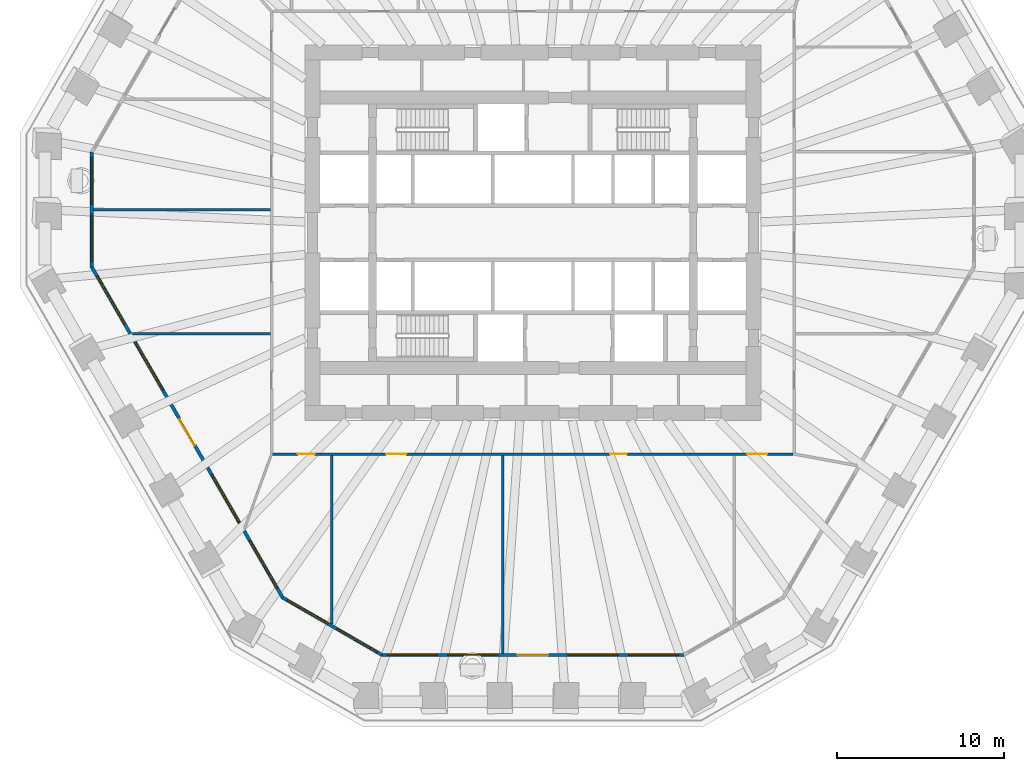
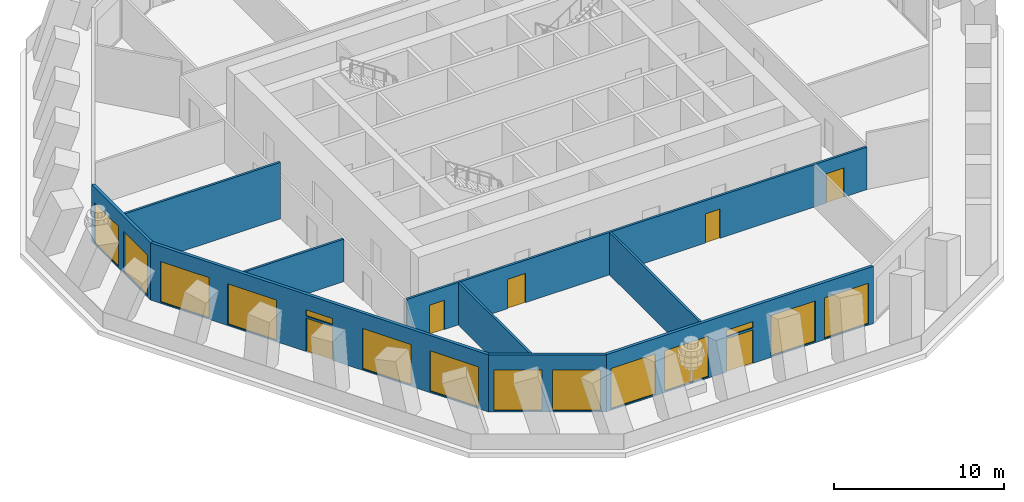
# One storey, part 3 of 11: 14 windows, 9 walls, 6 doors, 20 openings.
"""IFC4 building model written with IfcOpenShell, lengths in metres."""

from ifc_helpers import new_model, si_unit, direction, frame, frame_2d, origin, place, context, subcontext, project, spatial, polyline, rectangle, outline, extrude, material, layer, layer_set, type_object, element, fill, save


model = new_model("IFC4")

# Units and contexts
model_context = context("Model", 3, precision=1e-05, world=origin(), true_north=direction((0.0, 1.0)))
body_context = subcontext(model_context, "Body", "Model", "MODEL_VIEW")
ifc_project = project(units=[si_unit("LENGTHUNIT", "METRE"), si_unit("AREAUNIT", "SQUARE_METRE"), si_unit("VOLUMEUNIT", "CUBIC_METRE"), si_unit("PLANEANGLEUNIT", "RADIAN"), si_unit("MASSUNIT", "GRAM", prefix="KILO")], contexts=[model_context])

# Site, building, storey
site_placement = place(None, origin())
site = spatial("IfcSite", under=ifc_project, at=site_placement, CompositionType="ELEMENT")
building_placement = place(site_placement, origin())
building = spatial("IfcBuilding", under=site, at=building_placement, Name="Frailejon Research Tower", CompositionType="ELEMENT")
storey_placement = place(building_placement, frame((0.0, 0.0, 67.39990234375)))
storey = spatial("IfcBuildingStorey", under=building, at=storey_placement, Name="L15", CompositionType="ELEMENT", Elevation=67.39990234375)

# Wall, openings, doors
ifc_material_1 = material(Name="Gypsum board and masonry partition", Category="masonry")
ifc_layer_1 = layer(ifc_material_1, 0.14990234375)
ifc_layer_set_1 = layer_set([ifc_layer_1], Name="Corridor wall EI 60, gypsum on steel studs 150")
wall_type_1 = type_object("IfcWallType", Name="Corridor wall EI 60, gypsum on steel studs 150", PredefinedType="PARTITIONING", material=ifc_layer_set_1)
wall_1_placement = place(storey_placement, frame((-15.60009765625, -13.25, 0.0), z_axis=(0.0, 0.0, 1.0), x_axis=(1.0, 0.0, 0.0)))
wall_1 = element("IfcWall", 1, at=wall_1_placement, inside=storey, type_object=wall_type_1, Name="T:IW:L15:004", PredefinedType="PARTITIONING", context=body_context, shape_type="SweptSolid", body=[
    extrude(rectangle(XDim=31.175048828125, YDim=0.14990234375, at=frame_2d((15.58740234375, 0.0))), origin(), (0.0, 0.0, 1.0), 3.050048828125),
])
opening_1_placement = place(wall_1_placement, frame((1.52978515625, 0.0, 0.0)))
opening_1 = element("IfcOpeningElement", 2, at=opening_1_placement, cuts=wall_1, Name="Opening D1477", PredefinedType="OPENING", context=body_context, shape_type="SweptSolid", body=[
    extrude(rectangle(XDim=1.0, YDim=2.10009765625, at=frame_2d((0.5, 1.050048828125))), frame((0.0, 0.0849609375, 0.0), z_axis=(0.0, -1.0, 0.0), x_axis=(1.0, 0.0, 0.0)), (0.0, 0.0, 1.0), 0.169921875),
])
opening_2_placement = place(wall_1_placement, frame((6.813232421875, 0.0, 0.0)))
opening_2 = element("IfcOpeningElement", 3, at=opening_2_placement, cuts=wall_1, Name="Opening D1478", PredefinedType="OPENING", context=body_context, shape_type="SweptSolid", body=[
    extrude(rectangle(XDim=1.199951171875, YDim=2.10009765625, at=frame_2d((0.60009765625, 1.050048828125))), frame((0.0, 0.0849609375, 0.0), z_axis=(0.0, -1.0, 0.0), x_axis=(1.0, 0.0, 0.0)), (0.0, 0.0, 1.0), 0.169921875),
])
opening_3_placement = place(wall_1_placement, frame((20.22314453125, 0.0, 0.0)))
opening_3 = element("IfcOpeningElement", 4, at=opening_3_placement, cuts=wall_1, Name="Opening D1479", PredefinedType="OPENING", context=body_context, shape_type="SweptSolid", body=[
    extrude(rectangle(XDim=1.0, YDim=2.10009765625, at=frame_2d((0.5, 1.050048828125))), frame((0.0, 0.0849609375, 0.0), z_axis=(0.0, -1.0, 0.0), x_axis=(1.0, 0.0, 0.0)), (0.0, 0.0, 1.0), 0.169921875),
])
opening_4_placement = place(wall_1_placement, frame((28.43115234375, 0.0, 0.0)))
opening_4 = element("IfcOpeningElement", 5, at=opening_4_placement, cuts=wall_1, Name="Opening D1480", PredefinedType="OPENING", context=body_context, shape_type="SweptSolid", body=[
    extrude(rectangle(XDim=1.199951171875, YDim=2.10009765625, at=frame_2d((0.60009765625, 1.050048828125))), frame((0.0, 0.0849609375, 0.0), z_axis=(0.0, -1.0, 0.0), x_axis=(1.0, 0.0, 0.0)), (0.0, 0.0, 1.0), 0.169921875),
])
ifc_material_2 = material(Name="Timber door leaf", Category="wood")
door_type_1 = type_object("IfcDoorType", Name="Door laboratory, timber, vision panel 1200", OperationType="NOTDEFINED", PredefinedType="DOOR", material=ifc_material_2)
door_1_placement = place(opening_2_placement, origin())
door_1 = element("IfcDoor", 6, at=door_1_placement, inside=storey, type_object=door_type_1, Name="D1478", OperationType="DOUBLE_DOOR_SINGLE_SWING", OverallHeight=2.10009765625, OverallWidth=1.199951171875, PredefinedType="DOOR", context=body_context, shape_type="SweptSolid", body=[
    extrude(rectangle(XDim=1.199951171875, YDim=2.10009765625, at=frame_2d((0.60009765625, 1.050048828125))), frame((0.0, 0.02490234375, 0.0), z_axis=(0.0, -1.0, 0.0), x_axis=(1.0, 0.0, 0.0)), (0.0, 0.0, 1.0), 0.050048828125),
])
fill(opening_2, door_1)
door_2_placement = place(opening_4_placement, origin())
door_2 = element("IfcDoor", 7, at=door_2_placement, inside=storey, type_object=door_type_1, Name="D1480", OperationType="DOUBLE_DOOR_SINGLE_SWING", OverallHeight=2.10009765625, OverallWidth=1.199951171875, PredefinedType="DOOR", context=body_context, shape_type="SweptSolid", body=[
    extrude(rectangle(XDim=1.199951171875, YDim=2.10009765625, at=frame_2d((0.60009765625, 1.050048828125))), frame((0.0, 0.02490234375, 0.0), z_axis=(0.0, -1.0, 0.0), x_axis=(1.0, 0.0, 0.0)), (0.0, 0.0, 1.0), 0.050048828125),
])
fill(opening_4, door_2)
ifc_material_3 = material(Name="Timber door leaf", Category="wood")
door_type_2 = type_object("IfcDoorType", Name="Door single leaf, timber, steel frame 1000", OperationType="NOTDEFINED", PredefinedType="DOOR", material=ifc_material_3)
door_3_placement = place(opening_1_placement, origin())
door_3 = element("IfcDoor", 8, at=door_3_placement, inside=storey, type_object=door_type_2, Name="D1477", OperationType="SINGLE_SWING_LEFT", OverallHeight=2.10009765625, OverallWidth=1.0, PredefinedType="DOOR", context=body_context, shape_type="SweptSolid", body=[
    extrude(rectangle(XDim=1.0, YDim=2.10009765625, at=frame_2d((0.5, 1.050048828125))), frame((0.0, 0.02490234375, 0.0), z_axis=(0.0, -1.0, 0.0), x_axis=(1.0, 0.0, 0.0)), (0.0, 0.0, 1.0), 0.050048828125),
])
fill(opening_1, door_3)
door_4_placement = place(opening_3_placement, origin())
door_4 = element("IfcDoor", 9, at=door_4_placement, inside=storey, type_object=door_type_2, Name="D1479", OperationType="SINGLE_SWING_LEFT", OverallHeight=2.10009765625, OverallWidth=1.0, PredefinedType="DOOR", context=body_context, shape_type="SweptSolid", body=[
    extrude(rectangle(XDim=1.0, YDim=2.10009765625, at=frame_2d((0.5, 1.050048828125))), frame((0.0, 0.02490234375, 0.0), z_axis=(0.0, -1.0, 0.0), x_axis=(1.0, 0.0, 0.0)), (0.0, 0.0, 1.0), 0.050048828125),
])
fill(opening_3, door_4)

# Walls
ifc_material_4 = material(Name="Gypsum board and masonry partition", Category="masonry")
ifc_layer_2 = layer(ifc_material_4, 0.14990234375)
ifc_layer_set_2 = layer_set([ifc_layer_2], Name="Laboratory partition, blockwork 150")
wall_type_2 = type_object("IfcWallType", Name="Laboratory partition, blockwork 150", PredefinedType="PARTITIONING", material=ifc_layer_set_2)
wall_2_placement = place(storey_placement, frame((-26.31103515625, 1.3828125, 0.0), z_axis=(0.0, 0.0, 1.0), x_axis=(1.0, 0.0, 0.0)))
element("IfcWall", 10, at=wall_2_placement, inside=storey, type_object=wall_type_2, Name="T:IW:L15:012", PredefinedType="PARTITIONING", context=body_context, shape_type="SweptSolid", body=[
    extrude(rectangle(XDim=10.5859375, YDim=0.14990234375, at=frame_2d((5.29296875, 0.0))), origin(), (0.0, 0.0, 1.0), 4.050048828125),
])
wall_3_placement = place(storey_placement, frame((-23.989501953125, -6.048828125, 0.0), z_axis=(0.0, 0.0, 1.0), x_axis=(1.0, 0.0, 0.0)))
element("IfcWall", 11, at=wall_3_placement, inside=storey, type_object=wall_type_2, Name="T:IW:L15:013", PredefinedType="PARTITIONING", context=body_context, shape_type="SweptSolid", body=[
    extrude(rectangle(XDim=8.264404296875, YDim=0.14990234375, at=frame_2d((4.13232421875, 0.0))), origin(), (0.0, 0.0, 1.0), 3.050048828125),
])
wall_4_placement = place(storey_placement, frame((-12.05810546875, -23.419921875, 0.0), z_axis=(0.0, 0.0, 1.0), x_axis=(0.0, 1.0, 0.0)))
element("IfcWall", 12, at=wall_4_placement, inside=storey, type_object=wall_type_2, Name="T:IW:L15:015", PredefinedType="PARTITIONING", context=body_context, shape_type="SweptSolid", body=[
    extrude(rectangle(XDim=10.094970703125, YDim=0.14990234375, at=frame_2d((5.04736328125, 0.0))), origin(), (0.0, 0.0, 1.0), 3.050048828125),
])
wall_5_placement = place(storey_placement, frame((-1.8115234375, -25.182861328125, 0.0), z_axis=(0.0, 0.0, 1.0), x_axis=(0.0, 1.0, 0.0)))
element("IfcWall", 13, at=wall_5_placement, inside=storey, type_object=wall_type_2, Name="T:IW:L15:016", PredefinedType="PARTITIONING", context=body_context, shape_type="SweptSolid", body=[
    extrude(rectangle(XDim=11.85791015625, YDim=0.14990234375, at=frame_2d((5.928955078125, 0.0))), origin(), (0.0, 0.0, 1.0), 3.050048828125),
])

# Wall, openings, windows
ifc_material_5 = material(Name="Concrete C40/50 precast window wall panel", Category="concrete")
ifc_layer_3 = layer(ifc_material_5, 0.199951171875)
ifc_layer_set_3 = layer_set([ifc_layer_3], Name="Window wall 200")
wall_type_3 = type_object("IfcWallType", Name="Window wall 200", PredefinedType="SOLIDWALL", material=ifc_layer_set_3)
wall_6_placement = place(storey_placement, frame((-26.4111328125, 4.820068359375, 0.0), z_axis=(0.0, 0.0, 1.0), x_axis=(0.0, -1.0, 0.0)))
wall_6 = element("IfcWall", 14, at=wall_6_placement, inside=storey, type_object=wall_type_3, Name="Exterior wall L15", PredefinedType="SOLIDWALL", context=body_context, shape_type="SweptSolid", body=[
    extrude(outline(polyline([(-0.02685546875, -0.10009765625), (1.1279296875, -0.10009765625), (2.28271484375, -0.10009765625), (3.4375, -0.10009765625), (4.592041015625, -0.10009765625), (5.746826171875, -0.10009765625), (6.901611328125, -0.10009765625), (6.847900390625, 0.10009765625), (5.7109375, 0.10009765625), (4.57421875, 0.10009765625), (3.4375, 0.10009765625), (2.300537109375, 0.10009765625), (1.16357421875, 0.10009765625), (0.02685546875, 0.10009765625), (-0.02685546875, -0.10009765625)])), origin(), (0.0, 0.0, 1.0), 4.10009765625),
])
opening_5_placement = place(wall_6_placement, frame((0.318603515625, 0.0, 0.10009765625)))
opening_5 = element("IfcOpeningElement", 15, at=opening_5_placement, cuts=wall_6, Name="Opening W3", PredefinedType="OPENING", context=body_context, shape_type="SweptSolid", body=[
    extrude(rectangle(XDim=2.800048828125, YDim=2.89990234375, at=frame_2d((1.39990234375, 1.449951171875))), frame((0.0, 0.10986328125, 0.0), z_axis=(0.0, -1.0, 0.0), x_axis=(1.0, 0.0, 0.0)), (0.0, 0.0, 1.0), 0.219970703125),
])
opening_6_placement = place(wall_6_placement, frame((3.756103515625, 0.0, 0.10009765625)))
opening_6 = element("IfcOpeningElement", 16, at=opening_6_placement, cuts=wall_6, Name="Opening W3", PredefinedType="OPENING", context=body_context, shape_type="SweptSolid", body=[
    extrude(rectangle(XDim=2.800048828125, YDim=2.89990234375, at=frame_2d((1.39990234375, 1.449951171875))), frame((0.0, 0.10986328125, 0.0), z_axis=(0.0, -1.0, 0.0), x_axis=(1.0, 0.0, 0.0)), (0.0, 0.0, 1.0), 0.219970703125),
])
ifc_material_6 = material(Name="Aluminium framed double glazing", Category="aluminium")
window_type_1 = type_object("IfcWindowType", Name="Window 2800x2900", PartitioningType="SINGLE_PANEL", PredefinedType="WINDOW", material=ifc_material_6)
window_1_placement = place(opening_5_placement, origin())
window_1 = element("IfcWindow", 17, at=window_1_placement, inside=storey, type_object=window_type_1, Name="Window L15", OverallHeight=2.89990234375, OverallWidth=2.800048828125, PartitioningType="SINGLE_PANEL", PredefinedType="WINDOW", context=body_context, shape_type="SweptSolid", body=[
    extrude(rectangle(XDim=2.800048828125, YDim=2.89990234375, at=frame_2d((1.39990234375, 1.449951171875))), frame((0.0, 0.030029296875, 0.0), z_axis=(0.0, -1.0, 0.0), x_axis=(1.0, 0.0, 0.0)), (0.0, 0.0, 1.0), 0.06005859375),
])
fill(opening_5, window_1)
window_2_placement = place(opening_6_placement, origin())
window_2 = element("IfcWindow", 18, at=window_2_placement, inside=storey, type_object=window_type_1, Name="Window L15", OverallHeight=2.89990234375, OverallWidth=2.800048828125, PartitioningType="SINGLE_PANEL", PredefinedType="WINDOW", context=body_context, shape_type="SweptSolid", body=[
    extrude(rectangle(XDim=2.800048828125, YDim=2.89990234375, at=frame_2d((1.39990234375, 1.449951171875))), frame((0.0, 0.030029296875, 0.0), z_axis=(0.0, -1.0, 0.0), x_axis=(1.0, 0.0, 0.0)), (0.0, 0.0, 1.0), 0.06005859375),
])
fill(opening_6, window_2)

# Wall, openings, door, windows
wall_7_placement = place(storey_placement, frame((-26.4111328125, -2.0546875, 0.0), z_axis=(0.0, 0.0, 1.0), x_axis=(0.50000204422, -0.86602422355, 0.0)))
wall_7 = element("IfcWall", 19, at=wall_7_placement, inside=storey, type_object=wall_type_3, Name="Exterior wall L15", PredefinedType="SOLIDWALL", context=body_context, shape_type="SweptSolid", body=[
    extrude(outline(polyline([(-0.02685546875, -0.10009765625), (1.014404296875, -0.10009765625), (2.055419921875, -0.10009765625), (3.0966796875, -0.10009765625), (4.137939453125, -0.10009765625), (5.17919921875, -0.10009765625), (6.22021484375, -0.10009765625), (7.261474609375, -0.10009765625), (8.302734375, -0.10009765625), (9.343994140625, -0.10009765625), (10.385009765625, -0.10009765625), (11.42626953125, -0.10009765625), (12.467529296875, -0.10009765625), (13.508544921875, -0.10009765625), (14.5498046875, -0.10009765625), (15.591064453125, -0.10009765625), (16.63232421875, -0.10009765625), (17.67333984375, -0.10009765625), (18.714599609375, -0.10009765625), (19.755859375, -0.10009765625), (20.797119140625, -0.10009765625), (21.838134765625, -0.10009765625), (22.87939453125, -0.10009765625), (22.82568359375, 0.10009765625), (21.789306640625, 0.10009765625), (20.753173828125, 0.10009765625), (19.716796875, 0.10009765625), (18.680419921875, 0.10009765625), (17.64404296875, 0.10009765625), (16.60791015625, 0.10009765625), (15.571533203125, 0.10009765625), (14.53515625, 0.10009765625), (13.498779296875, 0.10009765625), (12.462646484375, 0.10009765625), (11.42626953125, 0.10009765625), (10.389892578125, 0.10009765625), (9.353759765625, 0.10009765625), (8.3173828125, 0.10009765625), (7.281005859375, 0.10009765625), (6.24462890625, 0.10009765625), (5.20849609375, 0.10009765625), (4.172119140625, 0.10009765625), (3.1357421875, 0.10009765625), (2.099365234375, 0.10009765625), (1.063232421875, 0.10009765625), (0.02685546875, 0.10009765625), (-0.02685546875, -0.10009765625)])), origin(), (0.0, 0.0, 1.0), 4.10009765625),
])
opening_7_placement = place(wall_7_placement, frame((0.63525390625, 0.0, 0.10009765625)))
opening_7 = element("IfcOpeningElement", 20, at=opening_7_placement, cuts=wall_7, Name="Opening W5", PredefinedType="OPENING", context=body_context, shape_type="SweptSolid", body=[
    extrude(rectangle(XDim=3.300048828125, YDim=2.89990234375, at=frame_2d((1.64990234375, 1.449951171875))), frame((0.0, 0.10986328125, 0.0), z_axis=(0.0, -1.0, 0.0), x_axis=(1.0, 0.0, 0.0)), (0.0, 0.0, 1.0), 0.219970703125),
])
opening_8_placement = place(wall_7_placement, frame((5.205810546875, 0.0, 0.10009765625)))
opening_8 = element("IfcOpeningElement", 21, at=opening_8_placement, cuts=wall_7, Name="Opening W5", PredefinedType="OPENING", context=body_context, shape_type="SweptSolid", body=[
    extrude(rectangle(XDim=3.300048828125, YDim=2.89990234375, at=frame_2d((1.64990234375, 1.449951171875))), frame((0.0, 0.10986328125, 0.0), z_axis=(0.0, -1.0, 0.0), x_axis=(1.0, 0.0, 0.0)), (0.0, 0.0, 1.0), 0.219970703125),
])
opening_9_placement = place(wall_7_placement, frame((10.5263671875, 0.0, 0.0)))
opening_9 = element("IfcOpeningElement", 22, at=opening_9_placement, cuts=wall_7, Name="Opening LG15-4", PredefinedType="OPENING", context=body_context, shape_type="SweptSolid", body=[
    extrude(rectangle(XDim=1.800048828125, YDim=2.39990234375, at=frame_2d((0.89990234375, 1.199951171875))), frame((0.0, 0.10986328125, 0.0), z_axis=(0.0, -1.0, 0.0), x_axis=(1.0, 0.0, 0.0)), (0.0, 0.0, 1.0), 0.219970703125),
])
opening_10_placement = place(wall_7_placement, frame((10.5263671875, 0.0, 2.550048828125)))
opening_10 = element("IfcOpeningElement", 23, at=opening_10_placement, cuts=wall_7, Name="Opening W1", PredefinedType="OPENING", context=body_context, shape_type="SweptSolid", body=[
    extrude(rectangle(XDim=1.800048828125, YDim=0.449951171875, at=frame_2d((0.89990234375, 0.22509765625))), frame((0.0, 0.10986328125, 0.0), z_axis=(0.0, -1.0, 0.0), x_axis=(1.0, 0.0, 0.0)), (0.0, 0.0, 1.0), 0.219970703125),
])
opening_11_placement = place(wall_7_placement, frame((14.3466796875, 0.0, 0.10009765625)))
opening_11 = element("IfcOpeningElement", 24, at=opening_11_placement, cuts=wall_7, Name="Opening W5", PredefinedType="OPENING", context=body_context, shape_type="SweptSolid", body=[
    extrude(rectangle(XDim=3.300048828125, YDim=2.89990234375, at=frame_2d((1.64990234375, 1.449951171875))), frame((0.0, 0.10986328125, 0.0), z_axis=(0.0, -1.0, 0.0), x_axis=(1.0, 0.0, 0.0)), (0.0, 0.0, 1.0), 0.219970703125),
])
opening_12_placement = place(wall_7_placement, frame((18.917236328125, 0.0, 0.10009765625)))
opening_12 = element("IfcOpeningElement", 25, at=opening_12_placement, cuts=wall_7, Name="Opening W5", PredefinedType="OPENING", context=body_context, shape_type="SweptSolid", body=[
    extrude(rectangle(XDim=3.300048828125, YDim=2.89990234375, at=frame_2d((1.64990234375, 1.449951171875))), frame((0.0, 0.10986328125, 0.0), z_axis=(0.0, -1.0, 0.0), x_axis=(1.0, 0.0, 0.0)), (0.0, 0.0, 1.0), 0.219970703125),
])
ifc_material_7 = material(Name="Aluminium framed glazed door leaf", Category="aluminium")
door_type_3 = type_object("IfcDoorType", Name="Loggia door 1800x2400", OperationType="DOUBLE_DOOR_SINGLE_SWING", PredefinedType="DOOR", material=ifc_material_7)
door_5_placement = place(opening_9_placement, origin())
door_5 = element("IfcDoor", 26, at=door_5_placement, inside=storey, type_object=door_type_3, Name="Door LG15-4", OperationType="DOUBLE_DOOR_SINGLE_SWING", OverallHeight=2.39990234375, OverallWidth=1.800048828125, PredefinedType="DOOR", context=body_context, shape_type="SweptSolid", body=[
    extrude(rectangle(XDim=1.800048828125, YDim=2.39990234375, at=frame_2d((0.89990234375, 1.199951171875))), frame((0.0, 0.02490234375, 0.0), z_axis=(0.0, -1.0, 0.0), x_axis=(1.0, 0.0, 0.0)), (0.0, 0.0, 1.0), 0.050048828125),
])
fill(opening_9, door_5)
ifc_material_8 = material(Name="Aluminium framed double glazing", Category="aluminium")
window_type_2 = type_object("IfcWindowType", Name="Window 1800x450", PartitioningType="SINGLE_PANEL", PredefinedType="WINDOW", material=ifc_material_8)
window_3_placement = place(opening_10_placement, origin())
window_3 = element("IfcWindow", 27, at=window_3_placement, inside=storey, type_object=window_type_2, Name="Window L15", OverallHeight=0.449951171875, OverallWidth=1.800048828125, PartitioningType="SINGLE_PANEL", PredefinedType="WINDOW", context=body_context, shape_type="SweptSolid", body=[
    extrude(rectangle(XDim=1.800048828125, YDim=0.449951171875, at=frame_2d((0.89990234375, 0.22509765625))), frame((0.0, 0.030029296875, 0.0), z_axis=(0.0, -1.0, 0.0), x_axis=(1.0, 0.0, 0.0)), (0.0, 0.0, 1.0), 0.06005859375),
])
fill(opening_10, window_3)
ifc_material_9 = material(Name="Aluminium framed double glazing", Category="aluminium")
window_type_3 = type_object("IfcWindowType", Name="Window 3300x2900", PartitioningType="SINGLE_PANEL", PredefinedType="WINDOW", material=ifc_material_9)
window_4_placement = place(opening_7_placement, origin())
window_4 = element("IfcWindow", 28, at=window_4_placement, inside=storey, type_object=window_type_3, Name="Window L15", OverallHeight=2.89990234375, OverallWidth=3.300048828125, PartitioningType="SINGLE_PANEL", PredefinedType="WINDOW", context=body_context, shape_type="SweptSolid", body=[
    extrude(rectangle(XDim=3.300048828125, YDim=2.89990234375, at=frame_2d((1.64990234375, 1.449951171875))), frame((0.0, 0.030029296875, 0.0), z_axis=(0.0, -1.0, 0.0), x_axis=(1.0, 0.0, 0.0)), (0.0, 0.0, 1.0), 0.06005859375),
])
fill(opening_7, window_4)
window_5_placement = place(opening_8_placement, origin())
window_5 = element("IfcWindow", 29, at=window_5_placement, inside=storey, type_object=window_type_3, Name="Window L15", OverallHeight=2.89990234375, OverallWidth=3.300048828125, PartitioningType="SINGLE_PANEL", PredefinedType="WINDOW", context=body_context, shape_type="SweptSolid", body=[
    extrude(rectangle(XDim=3.300048828125, YDim=2.89990234375, at=frame_2d((1.64990234375, 1.449951171875))), frame((0.0, 0.030029296875, 0.0), z_axis=(0.0, -1.0, 0.0), x_axis=(1.0, 0.0, 0.0)), (0.0, 0.0, 1.0), 0.06005859375),
])
fill(opening_8, window_5)
window_6_placement = place(opening_11_placement, origin())
window_6 = element("IfcWindow", 30, at=window_6_placement, inside=storey, type_object=window_type_3, Name="Window L15", OverallHeight=2.89990234375, OverallWidth=3.300048828125, PartitioningType="SINGLE_PANEL", PredefinedType="WINDOW", context=body_context, shape_type="SweptSolid", body=[
    extrude(rectangle(XDim=3.300048828125, YDim=2.89990234375, at=frame_2d((1.64990234375, 1.449951171875))), frame((0.0, 0.030029296875, 0.0), z_axis=(0.0, -1.0, 0.0), x_axis=(1.0, 0.0, 0.0)), (0.0, 0.0, 1.0), 0.06005859375),
])
fill(opening_11, window_6)
window_7_placement = place(opening_12_placement, origin())
window_7 = element("IfcWindow", 31, at=window_7_placement, inside=storey, type_object=window_type_3, Name="Window L15", OverallHeight=2.89990234375, OverallWidth=3.300048828125, PartitioningType="SINGLE_PANEL", PredefinedType="WINDOW", context=body_context, shape_type="SweptSolid", body=[
    extrude(rectangle(XDim=3.300048828125, YDim=2.89990234375, at=frame_2d((1.64990234375, 1.449951171875))), frame((0.0, 0.030029296875, 0.0), z_axis=(0.0, -1.0, 0.0), x_axis=(1.0, 0.0, 0.0)), (0.0, 0.0, 1.0), 0.06005859375),
])
fill(opening_12, window_7)

# Wall, openings, windows
wall_8_placement = place(storey_placement, frame((-14.98486328125, -21.845458984375, 0.0), z_axis=(0.0, 0.0, 1.0), x_axis=(0.866029458321, -0.49999297727, 0.0)))
wall_8 = element("IfcWall", 32, at=wall_8_placement, inside=storey, type_object=wall_type_3, Name="Exterior wall L15", PredefinedType="SOLIDWALL", context=body_context, shape_type="SweptSolid", body=[
    extrude(outline(polyline([(-0.02685546875, -0.10009765625), (1.1279296875, -0.10009765625), (2.282470703125, -0.10009765625), (3.437255859375, -0.10009765625), (4.592041015625, -0.10009765625), (5.74658203125, -0.10009765625), (6.9013671875, -0.10009765625), (6.84765625, 0.10009765625), (5.7109375, 0.10009765625), (4.573974609375, 0.10009765625), (3.437255859375, 0.10009765625), (2.300537109375, 0.10009765625), (1.16357421875, 0.10009765625), (0.02685546875, 0.10009765625), (-0.02685546875, -0.10009765625)])), origin(), (0.0, 0.0, 1.0), 4.10009765625),
])
opening_13_placement = place(wall_8_placement, frame((0.318603515625, 0.0, 0.10009765625)))
opening_13 = element("IfcOpeningElement", 33, at=opening_13_placement, cuts=wall_8, Name="Opening W3", PredefinedType="OPENING", context=body_context, shape_type="SweptSolid", body=[
    extrude(rectangle(XDim=2.800048828125, YDim=2.89990234375, at=frame_2d((1.39990234375, 1.449951171875))), frame((0.0, 0.10986328125, 0.0), z_axis=(0.0, -1.0, 0.0), x_axis=(1.0, 0.0, 0.0)), (0.0, 0.0, 1.0), 0.219970703125),
])
opening_14_placement = place(wall_8_placement, frame((3.756103515625, 0.0, 0.10009765625)))
opening_14 = element("IfcOpeningElement", 34, at=opening_14_placement, cuts=wall_8, Name="Opening W3", PredefinedType="OPENING", context=body_context, shape_type="SweptSolid", body=[
    extrude(rectangle(XDim=2.800048828125, YDim=2.89990234375, at=frame_2d((1.39990234375, 1.449951171875))), frame((0.0, 0.10986328125, 0.0), z_axis=(0.0, -1.0, 0.0), x_axis=(1.0, 0.0, 0.0)), (0.0, 0.0, 1.0), 0.219970703125),
])
window_8_placement = place(opening_13_placement, origin())
window_8 = element("IfcWindow", 35, at=window_8_placement, inside=storey, type_object=window_type_1, Name="Window L15", OverallHeight=2.89990234375, OverallWidth=2.800048828125, PartitioningType="SINGLE_PANEL", PredefinedType="WINDOW", context=body_context, shape_type="SweptSolid", body=[
    extrude(rectangle(XDim=2.800048828125, YDim=2.89990234375, at=frame_2d((1.39990234375, 1.449951171875))), frame((0.0, 0.030029296875, 0.0), z_axis=(0.0, -1.0, 0.0), x_axis=(1.0, 0.0, 0.0)), (0.0, 0.0, 1.0), 0.06005859375),
])
fill(opening_13, window_8)
window_9_placement = place(opening_14_placement, origin())
window_9 = element("IfcWindow", 36, at=window_9_placement, inside=storey, type_object=window_type_1, Name="Window L15", OverallHeight=2.89990234375, OverallWidth=2.800048828125, PartitioningType="SINGLE_PANEL", PredefinedType="WINDOW", context=body_context, shape_type="SweptSolid", body=[
    extrude(rectangle(XDim=2.800048828125, YDim=2.89990234375, at=frame_2d((1.39990234375, 1.449951171875))), frame((0.0, 0.030029296875, 0.0), z_axis=(0.0, -1.0, 0.0), x_axis=(1.0, 0.0, 0.0)), (0.0, 0.0, 1.0), 0.06005859375),
])
fill(opening_14, window_9)

# Wall, openings, door, windows
wall_9_placement = place(storey_placement, frame((-9.03125, -25.28271484375, 0.0), z_axis=(0.0, 0.0, 1.0), x_axis=(1.0, 0.0, 0.0)))
wall_9 = element("IfcWall", 37, at=wall_9_placement, inside=storey, type_object=wall_type_3, Name="Exterior wall L15", PredefinedType="SOLIDWALL", context=body_context, shape_type="SweptSolid", body=[
    extrude(outline(polyline([(-0.02685546875, -0.10009765625), (0.9794921875, -0.10009765625), (1.986083984375, -0.10009765625), (2.992431640625, -0.10009765625), (3.9990234375, -0.10009765625), (5.00537109375, -0.10009765625), (6.011962890625, -0.10009765625), (7.018310546875, -0.10009765625), (8.02490234375, -0.10009765625), (9.03125, -0.10009765625), (10.03759765625, -0.10009765625), (11.044189453125, -0.10009765625), (12.050537109375, -0.10009765625), (13.05712890625, -0.10009765625), (14.0634765625, -0.10009765625), (15.070068359375, -0.10009765625), (16.076416015625, -0.10009765625), (17.0830078125, -0.10009765625), (18.08935546875, -0.10009765625), (18.03564453125, 0.10009765625), (17.03515625, 0.10009765625), (16.03466796875, 0.10009765625), (15.0341796875, 0.10009765625), (14.03369140625, 0.10009765625), (13.033203125, 0.10009765625), (12.03271484375, 0.10009765625), (11.0322265625, 0.10009765625), (10.03173828125, 0.10009765625), (9.03125, 0.10009765625), (8.03076171875, 0.10009765625), (7.0302734375, 0.10009765625), (6.02978515625, 0.10009765625), (5.029296875, 0.10009765625), (4.02880859375, 0.10009765625), (3.0283203125, 0.10009765625), (2.02783203125, 0.10009765625), (1.02734375, 0.10009765625), (0.02685546875, 0.10009765625), (-0.02685546875, -0.10009765625)])), origin(), (0.0, 0.0, 1.0), 4.10009765625),
])
opening_15_placement = place(wall_9_placement, frame((0.306396484375, 0.0, 0.10009765625)))
opening_15 = element("IfcOpeningElement", 38, at=opening_15_placement, cuts=wall_9, Name="Opening W4", PredefinedType="OPENING", context=body_context, shape_type="SweptSolid", body=[
    extrude(rectangle(XDim=3.0, YDim=2.89990234375, at=frame_2d((1.5, 1.449951171875))), frame((0.0, 0.10986328125, 0.0), z_axis=(0.0, -1.0, 0.0), x_axis=(1.0, 0.0, 0.0)), (0.0, 0.0, 1.0), 0.219970703125),
])
opening_16_placement = place(wall_9_placement, frame((3.918701171875, 0.0, 0.10009765625)))
opening_16 = element("IfcOpeningElement", 39, at=opening_16_placement, cuts=wall_9, Name="Opening W4", PredefinedType="OPENING", context=body_context, shape_type="SweptSolid", body=[
    extrude(rectangle(XDim=3.0, YDim=2.89990234375, at=frame_2d((1.5, 1.449951171875))), frame((0.0, 0.10986328125, 0.0), z_axis=(0.0, -1.0, 0.0), x_axis=(1.0, 0.0, 0.0)), (0.0, 0.0, 1.0), 0.219970703125),
])
opening_17_placement = place(wall_9_placement, frame((8.13134765625, 0.0, 0.0)))
opening_17 = element("IfcOpeningElement", 40, at=opening_17_placement, cuts=wall_9, Name="Opening LG15-5", PredefinedType="OPENING", context=body_context, shape_type="SweptSolid", body=[
    extrude(rectangle(XDim=1.800048828125, YDim=2.39990234375, at=frame_2d((0.89990234375, 1.199951171875))), frame((0.0, 0.10986328125, 0.0), z_axis=(0.0, -1.0, 0.0), x_axis=(1.0, 0.0, 0.0)), (0.0, 0.0, 1.0), 0.219970703125),
])
opening_18_placement = place(wall_9_placement, frame((8.13134765625, 0.0, 2.550048828125)))
opening_18 = element("IfcOpeningElement", 41, at=opening_18_placement, cuts=wall_9, Name="Opening W1", PredefinedType="OPENING", context=body_context, shape_type="SweptSolid", body=[
    extrude(rectangle(XDim=1.800048828125, YDim=0.449951171875, at=frame_2d((0.89990234375, 0.22509765625))), frame((0.0, 0.10986328125, 0.0), z_axis=(0.0, -1.0, 0.0), x_axis=(1.0, 0.0, 0.0)), (0.0, 0.0, 1.0), 0.219970703125),
])
opening_19_placement = place(wall_9_placement, frame((11.143798828125, 0.0, 0.10009765625)))
opening_19 = element("IfcOpeningElement", 42, at=opening_19_placement, cuts=wall_9, Name="Opening W4", PredefinedType="OPENING", context=body_context, shape_type="SweptSolid", body=[
    extrude(rectangle(XDim=3.0, YDim=2.89990234375, at=frame_2d((1.5, 1.449951171875))), frame((0.0, 0.10986328125, 0.0), z_axis=(0.0, -1.0, 0.0), x_axis=(1.0, 0.0, 0.0)), (0.0, 0.0, 1.0), 0.219970703125),
])
opening_20_placement = place(wall_9_placement, frame((14.75634765625, 0.0, 0.10009765625)))
opening_20 = element("IfcOpeningElement", 43, at=opening_20_placement, cuts=wall_9, Name="Opening W4", PredefinedType="OPENING", context=body_context, shape_type="SweptSolid", body=[
    extrude(rectangle(XDim=3.0, YDim=2.89990234375, at=frame_2d((1.5, 1.449951171875))), frame((0.0, 0.10986328125, 0.0), z_axis=(0.0, -1.0, 0.0), x_axis=(1.0, 0.0, 0.0)), (0.0, 0.0, 1.0), 0.219970703125),
])
door_6_placement = place(opening_17_placement, origin())
door_6 = element("IfcDoor", 44, at=door_6_placement, inside=storey, type_object=door_type_3, Name="Door LG15-5", OperationType="DOUBLE_DOOR_SINGLE_SWING", OverallHeight=2.39990234375, OverallWidth=1.800048828125, PredefinedType="DOOR", context=body_context, shape_type="SweptSolid", body=[
    extrude(rectangle(XDim=1.800048828125, YDim=2.39990234375, at=frame_2d((0.89990234375, 1.199951171875))), frame((0.0, 0.02490234375, 0.0), z_axis=(0.0, -1.0, 0.0), x_axis=(1.0, 0.0, 0.0)), (0.0, 0.0, 1.0), 0.050048828125),
])
fill(opening_17, door_6)
window_10_placement = place(opening_18_placement, origin())
window_10 = element("IfcWindow", 45, at=window_10_placement, inside=storey, type_object=window_type_2, Name="Window L15", OverallHeight=0.449951171875, OverallWidth=1.800048828125, PartitioningType="SINGLE_PANEL", PredefinedType="WINDOW", context=body_context, shape_type="SweptSolid", body=[
    extrude(rectangle(XDim=1.800048828125, YDim=0.449951171875, at=frame_2d((0.89990234375, 0.22509765625))), frame((0.0, 0.030029296875, 0.0), z_axis=(0.0, -1.0, 0.0), x_axis=(1.0, 0.0, 0.0)), (0.0, 0.0, 1.0), 0.06005859375),
])
fill(opening_18, window_10)
ifc_material_10 = material(Name="Aluminium framed double glazing", Category="aluminium")
window_type_4 = type_object("IfcWindowType", Name="Window 3000x2900", PartitioningType="SINGLE_PANEL", PredefinedType="WINDOW", material=ifc_material_10)
window_11_placement = place(opening_15_placement, origin())
window_11 = element("IfcWindow", 46, at=window_11_placement, inside=storey, type_object=window_type_4, Name="Window L15", OverallHeight=2.89990234375, OverallWidth=3.0, PartitioningType="SINGLE_PANEL", PredefinedType="WINDOW", context=body_context, shape_type="SweptSolid", body=[
    extrude(rectangle(XDim=3.0, YDim=2.89990234375, at=frame_2d((1.5, 1.449951171875))), frame((0.0, 0.030029296875, 0.0), z_axis=(0.0, -1.0, 0.0), x_axis=(1.0, 0.0, 0.0)), (0.0, 0.0, 1.0), 0.06005859375),
])
fill(opening_15, window_11)
window_12_placement = place(opening_16_placement, origin())
window_12 = element("IfcWindow", 47, at=window_12_placement, inside=storey, type_object=window_type_4, Name="Window L15", OverallHeight=2.89990234375, OverallWidth=3.0, PartitioningType="SINGLE_PANEL", PredefinedType="WINDOW", context=body_context, shape_type="SweptSolid", body=[
    extrude(rectangle(XDim=3.0, YDim=2.89990234375, at=frame_2d((1.5, 1.449951171875))), frame((0.0, 0.030029296875, 0.0), z_axis=(0.0, -1.0, 0.0), x_axis=(1.0, 0.0, 0.0)), (0.0, 0.0, 1.0), 0.06005859375),
])
fill(opening_16, window_12)
window_13_placement = place(opening_19_placement, origin())
window_13 = element("IfcWindow", 48, at=window_13_placement, inside=storey, type_object=window_type_4, Name="Window L15", OverallHeight=2.89990234375, OverallWidth=3.0, PartitioningType="SINGLE_PANEL", PredefinedType="WINDOW", context=body_context, shape_type="SweptSolid", body=[
    extrude(rectangle(XDim=3.0, YDim=2.89990234375, at=frame_2d((1.5, 1.449951171875))), frame((0.0, 0.030029296875, 0.0), z_axis=(0.0, -1.0, 0.0), x_axis=(1.0, 0.0, 0.0)), (0.0, 0.0, 1.0), 0.06005859375),
])
fill(opening_19, window_13)
window_14_placement = place(opening_20_placement, origin())
window_14 = element("IfcWindow", 49, at=window_14_placement, inside=storey, type_object=window_type_4, Name="Window L15", OverallHeight=2.89990234375, OverallWidth=3.0, PartitioningType="SINGLE_PANEL", PredefinedType="WINDOW", context=body_context, shape_type="SweptSolid", body=[
    extrude(rectangle(XDim=3.0, YDim=2.89990234375, at=frame_2d((1.5, 1.449951171875))), frame((0.0, 0.030029296875, 0.0), z_axis=(0.0, -1.0, 0.0), x_axis=(1.0, 0.0, 0.0)), (0.0, 0.0, 1.0), 0.06005859375),
])
fill(opening_20, window_14)

save(model, "model.ifc")
